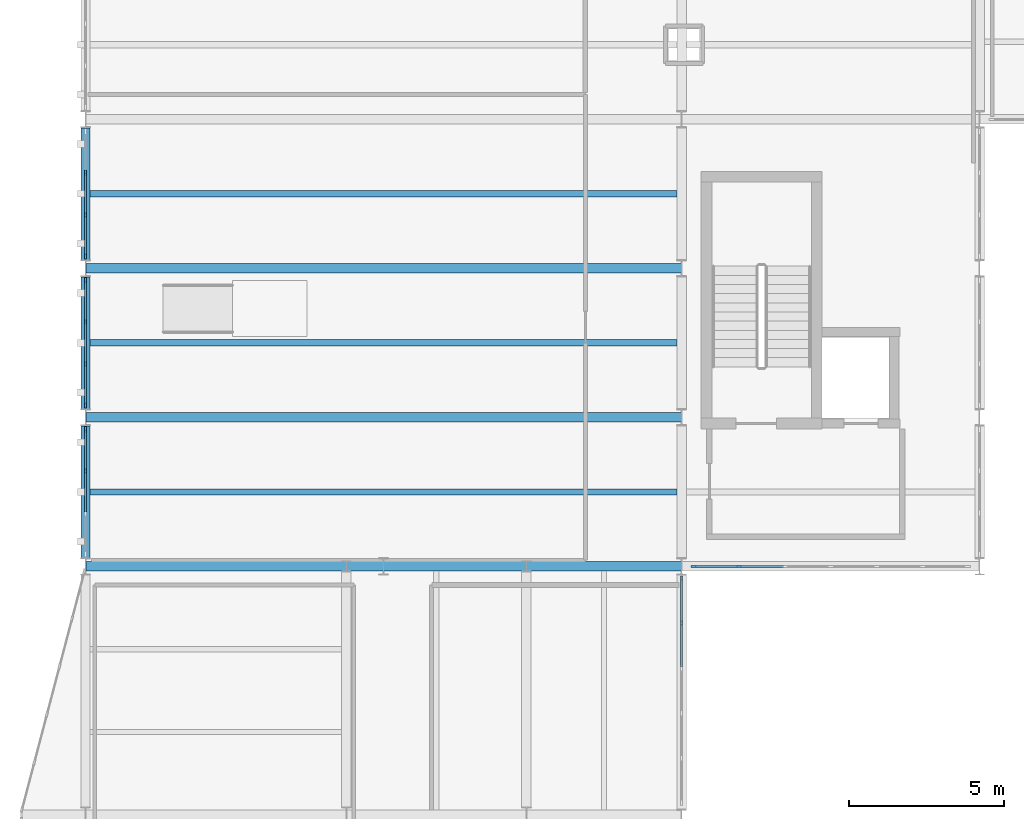
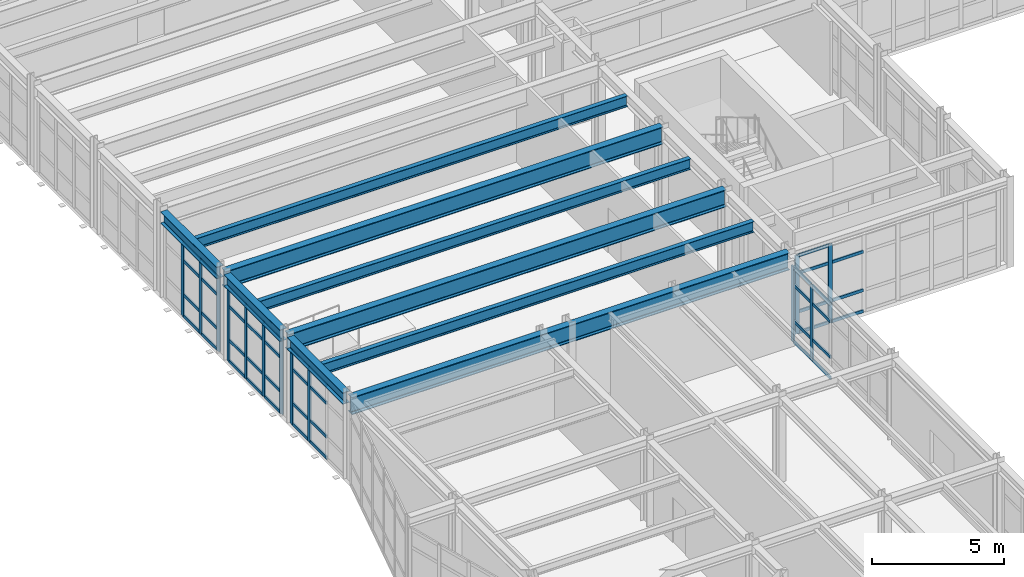
# One storey, part 26 of 76: 56 members, 9 beams, 5 elements without a shape of their own.
"""IFC4 building model written with IfcOpenShell, lengths in metres."""

from ifc_helpers import new_model, si_unit, direction, frame, origin, origin_2d, place, context, subcontext, project, spatial, rectangle, i_section, extrude, material, layer, layer_set, material_profile, profile_set, type_object, element, aggregate, save


model = new_model("IFC4")

# Units and contexts
model_context = context("Model", 3, precision=1e-05, world=origin(), true_north=direction((0.0, 1.0)))
body_context = subcontext(model_context, "Body", "Model", "MODEL_VIEW")
ifc_project = project(units=[si_unit("LENGTHUNIT", "METRE"), si_unit("AREAUNIT", "SQUARE_METRE"), si_unit("VOLUMEUNIT", "CUBIC_METRE"), si_unit("PLANEANGLEUNIT", "RADIAN"), si_unit("MASSUNIT", "GRAM", prefix="KILO")], contexts=[model_context])

# Site, building, storey
site_placement = place(None, origin())
site = spatial("IfcSite", under=ifc_project, at=site_placement, CompositionType="ELEMENT")
building_placement = place(site_placement, origin())
building = spatial("IfcBuilding", under=site, at=building_placement, Name="Nordkorset Police Headquarters", CompositionType="ELEMENT")
storey_placement = place(building_placement, frame((0.0, 0.0, 13.64990234375)))
storey = spatial("IfcBuildingStorey", under=building, at=storey_placement, Name="L03", CompositionType="ELEMENT", Elevation=13.64990234375)

# Beams
ifc_material_1 = material(Name="Steel S355J2", Category="steel")
ifc_material_profile_1 = material_profile(ifc_material_1, i_section(OverallWidth=0.199951171875, OverallDepth=0.5, WebThickness=0.01025390625, FlangeThickness=0.01611328125, FilletRadius=0.02099609375, at=origin_2d()), Name="IPE 500")
ifc_profile_set_1 = profile_set([ifc_material_profile_1], Name="Steel S355J2")
beam_type_1 = type_object("IfcBeamType", Name="Beam_IPE_500", PredefinedType="BEAM", material=ifc_profile_set_1)
for number, where, z_axis, x_axis, name in (
    (1, (0.14990234375, 85.60009765625, 3.72998046875), (1.0, 0.0, 0.0), (0.0, 1.0, 0.0), "Composite Floor Beam V1 L03 0-0-1"),
    (2, (0.14990234375, 90.39990234375, 3.72998046875), (1.0, 0.0, 0.0), (0.0, 1.0, 0.0), "Composite Floor Beam V1 L03 0-1-1"),
    (3, (0.14990234375, 95.199951171875, 3.72998046875), (1.0, 0.0, 0.0), (0.0, 1.0, 0.0), "Composite Floor Beam V1 L03 0-2-1"),
):
    element("IfcBeam", number, at=place(storey_placement, frame(where, z_axis=z_axis, x_axis=x_axis)), inside=storey, type_object=beam_type_1, Name=name, PredefinedType="BEAM", context=body_context, shape_type="SweptSolid", body=[
        extrude(i_section(OverallWidth=0.199951171875, OverallDepth=0.5, WebThickness=0.01025390625, FlangeThickness=0.01611328125, FilletRadius=0.02099609375, at=origin_2d()), origin(), (0.0, 0.0, 1.0), 18.900146484375),
    ])

# Curtain wall, members
ifc_material_2 = material(Name="Aluminium alloy AW-6060", Category="aluminium")
ifc_layer_1 = layer(ifc_material_2, 0.179931640625, Name="Aluminium alloy AW-6060")
ifc_layer_set_1 = layer_set([ifc_layer_1], Name="Aluminium alloy AW-6060")
curtain_wall_type_1 = type_object("IfcCurtainWallType", Name="CW_Unit_408x342", PredefinedType="USERDEFINED", material=ifc_layer_set_1)
curtain_wall_1_placement = place(storey_placement, origin())
curtain_wall_1 = element("IfcCurtainWall", 4, at=curtain_wall_1_placement, inside=storey, type_object=curtain_wall_type_1, Name="Unitised Curtain Wall L03 V1W-0", ObjectType="UNITISED CURTAIN WALL", PredefinedType="USERDEFINED")
ifc_material_3 = material(Name="Aluminium alloy AW-6060", Category="aluminium")
ifc_material_profile_2 = material_profile(ifc_material_3, rectangle(XDim=0.06494140625, YDim=0.179931640625, at=origin_2d()), Name="ALU MULL 65x180")
ifc_profile_set_2 = profile_set([ifc_material_profile_2], Name="Aluminium alloy AW-6060")
member_type_1 = type_object("IfcMemberType", Name="CW_Mullion_65x180", PredefinedType="MULLION", material=ifc_profile_set_2)
member_1_placement = place(storey_placement, frame((0.0, 86.280029296875, 0.0), z_axis=(0.0, 0.0, 1.0), x_axis=(-1.0, 0.0, 0.0)))
member_1 = element("IfcMember", 5, at=member_1_placement, type_object=member_type_1, Name="CW-72 mullion 3", PredefinedType="MULLION", context=body_context, shape_type="SweptSolid", body=[
    extrude(rectangle(XDim=0.06494140625, YDim=0.179931640625, at=origin_2d()), origin(), (0.0, 0.0, 1.0), 3.420166015625),
])
member_2_placement = place(storey_placement, frame((0.0, 87.607421875, 0.0), z_axis=(0.0, 0.0, 1.0), x_axis=(-1.0, 0.0, 0.0)))
member_2 = element("IfcMember", 6, at=member_2_placement, type_object=member_type_1, Name="CW-72 mullion 4", PredefinedType="MULLION", context=body_context, shape_type="SweptSolid", body=[
    extrude(rectangle(XDim=0.06494140625, YDim=0.179931640625, at=origin_2d()), origin(), (0.0, 0.0, 1.0), 3.420166015625),
])

curtain_wall_2_placement = place(storey_placement, origin())
curtain_wall_2 = element("IfcCurtainWall", 7, at=curtain_wall_2_placement, inside=storey, type_object=curtain_wall_type_1, Name="Unitised Curtain Wall L03 V1W-1", ObjectType="UNITISED CURTAIN WALL", PredefinedType="USERDEFINED")
member_3_placement = place(storey_placement, frame((0.0, 88.392578125, 0.0), z_axis=(0.0, 0.0, 1.0), x_axis=(-1.0, 0.0, 0.0)))
member_3 = element("IfcMember", 8, at=member_3_placement, type_object=member_type_1, Name="CW-72 mullion 1", PredefinedType="MULLION", context=body_context, shape_type="SweptSolid", body=[
    extrude(rectangle(XDim=0.06494140625, YDim=0.179931640625, at=origin_2d()), origin(), (0.0, 0.0, 1.0), 3.420166015625),
])
member_4_placement = place(storey_placement, frame((0.0, 89.719970703125, 0.0), z_axis=(0.0, 0.0, 1.0), x_axis=(-1.0, 0.0, 0.0)))
member_4 = element("IfcMember", 9, at=member_4_placement, type_object=member_type_1, Name="CW-72 mullion 2", PredefinedType="MULLION", context=body_context, shape_type="SweptSolid", body=[
    extrude(rectangle(XDim=0.06494140625, YDim=0.179931640625, at=origin_2d()), origin(), (0.0, 0.0, 1.0), 3.420166015625),
])
member_5_placement = place(storey_placement, frame((0.0, 91.080078125, 0.0), z_axis=(0.0, 0.0, 1.0), x_axis=(-1.0, 0.0, 0.0)))
member_5 = element("IfcMember", 10, at=member_5_placement, type_object=member_type_1, Name="CW-72 mullion 3", PredefinedType="MULLION", context=body_context, shape_type="SweptSolid", body=[
    extrude(rectangle(XDim=0.06494140625, YDim=0.179931640625, at=origin_2d()), origin(), (0.0, 0.0, 1.0), 3.420166015625),
])
member_6_placement = place(storey_placement, frame((0.0, 92.407470703125, 0.0), z_axis=(0.0, 0.0, 1.0), x_axis=(-1.0, 0.0, 0.0)))
member_6 = element("IfcMember", 11, at=member_6_placement, type_object=member_type_1, Name="CW-72 mullion 4", PredefinedType="MULLION", context=body_context, shape_type="SweptSolid", body=[
    extrude(rectangle(XDim=0.06494140625, YDim=0.179931640625, at=origin_2d()), origin(), (0.0, 0.0, 1.0), 3.420166015625),
])

curtain_wall_3_placement = place(storey_placement, origin())
curtain_wall_3 = element("IfcCurtainWall", 12, at=curtain_wall_3_placement, inside=storey, type_object=curtain_wall_type_1, Name="Unitised Curtain Wall L03 V1W-2", ObjectType="UNITISED CURTAIN WALL", PredefinedType="USERDEFINED")
member_7_placement = place(storey_placement, frame((0.0, 93.1923828125, 0.0), z_axis=(0.0, 0.0, 1.0), x_axis=(-1.0, 0.0, 0.0)))
member_7 = element("IfcMember", 13, at=member_7_placement, type_object=member_type_1, Name="CW-72 mullion 1", PredefinedType="MULLION", context=body_context, shape_type="SweptSolid", body=[
    extrude(rectangle(XDim=0.06494140625, YDim=0.179931640625, at=origin_2d()), origin(), (0.0, 0.0, 1.0), 3.420166015625),
])
member_8_placement = place(storey_placement, frame((0.0, 94.52001953125, 0.0), z_axis=(0.0, 0.0, 1.0), x_axis=(-1.0, 0.0, 0.0)))
member_8 = element("IfcMember", 14, at=member_8_placement, type_object=member_type_1, Name="CW-72 mullion 2", PredefinedType="MULLION", context=body_context, shape_type="SweptSolid", body=[
    extrude(rectangle(XDim=0.06494140625, YDim=0.179931640625, at=origin_2d()), origin(), (0.0, 0.0, 1.0), 3.420166015625),
])
member_9_placement = place(storey_placement, frame((0.0, 95.8798828125, 0.0), z_axis=(0.0, 0.0, 1.0), x_axis=(-1.0, 0.0, 0.0)))
member_9 = element("IfcMember", 15, at=member_9_placement, type_object=member_type_1, Name="CW-72 mullion 3", PredefinedType="MULLION", context=body_context, shape_type="SweptSolid", body=[
    extrude(rectangle(XDim=0.06494140625, YDim=0.179931640625, at=origin_2d()), origin(), (0.0, 0.0, 1.0), 3.420166015625),
])

ifc_material_4 = material(Name="Aluminium alloy AW-6060", Category="aluminium")
ifc_layer_2 = layer(ifc_material_4, 0.179931640625, Name="Aluminium alloy AW-6060")
ifc_layer_set_2 = layer_set([ifc_layer_2], Name="Aluminium alloy AW-6060")
curtain_wall_type_2 = type_object("IfcCurtainWallType", Name="CW_Unit_888x364", PredefinedType="USERDEFINED", material=ifc_layer_set_2)
curtain_wall_4_placement = place(storey_placement, origin())
curtain_wall_4 = element("IfcCurtainWall", 16, at=curtain_wall_4_placement, inside=storey, type_object=curtain_wall_type_2, Name="Unitised Curtain Wall L03 V1S-2", ObjectType="UNITISED CURTAIN WALL", PredefinedType="USERDEFINED")
member_10_placement = place(storey_placement, frame((19.592529296875, 83.199951171875, 0.0), z_axis=(0.0, 0.0, 1.0), x_axis=(0.0, 1.0, 0.0)))
member_10 = element("IfcMember", 17, at=member_10_placement, type_object=member_type_1, Name="CW-53 mullion 1", PredefinedType="MULLION", context=body_context, shape_type="SweptSolid", body=[
    extrude(rectangle(XDim=0.06494140625, YDim=0.179931640625, at=origin_2d()), origin(), (0.0, 0.0, 1.0), 3.635009765625),
])
member_11_placement = place(storey_placement, frame((21.0400390625, 83.199951171875, 0.0), z_axis=(0.0, 0.0, 1.0), x_axis=(0.0, 1.0, 0.0)))
member_11 = element("IfcMember", 18, at=member_11_placement, type_object=member_type_1, Name="CW-53 mullion 2", PredefinedType="MULLION", context=body_context, shape_type="SweptSolid", body=[
    extrude(rectangle(XDim=0.06494140625, YDim=0.179931640625, at=origin_2d()), origin(), (0.0, 0.0, 1.0), 3.635009765625),
])

ifc_material_5 = material(Name="Aluminium alloy AW-6060", Category="aluminium")
ifc_layer_3 = layer(ifc_material_5, 0.179931640625, Name="Aluminium alloy AW-6060")
ifc_layer_set_3 = layer_set([ifc_layer_3], Name="Aluminium alloy AW-6060")
curtain_wall_type_3 = type_object("IfcCurtainWallType", Name="CW_Unit_728x350", PredefinedType="USERDEFINED", material=ifc_layer_set_3)
curtain_wall_5_placement = place(storey_placement, origin())
curtain_wall_5 = element("IfcCurtainWall", 19, at=curtain_wall_5_placement, inside=storey, type_object=curtain_wall_type_3, Name="Unitised Curtain Wall L03 V3E-5", ObjectType="UNITISED CURTAIN WALL", PredefinedType="USERDEFINED")
member_12_placement = place(storey_placement, frame((19.199951171875, 81.384033203125, 0.0), z_axis=(0.0, 0.0, 1.0), x_axis=(-1.0, 0.0, 0.0)))
member_12 = element("IfcMember", 20, at=member_12_placement, type_object=member_type_1, Name="CW-70 mullion 5", PredefinedType="MULLION", context=body_context, shape_type="SweptSolid", body=[
    extrude(rectangle(XDim=0.06494140625, YDim=0.179931640625, at=origin_2d()), origin(), (0.0, 0.0, 1.0), 3.505126953125),
])
member_13_placement = place(storey_placement, frame((19.199951171875, 82.8076171875, 0.0), z_axis=(0.0, 0.0, 1.0), x_axis=(-1.0, 0.0, 0.0)))
member_13 = element("IfcMember", 21, at=member_13_placement, type_object=member_type_1, Name="CW-70 mullion 6", PredefinedType="MULLION", context=body_context, shape_type="SweptSolid", body=[
    extrude(rectangle(XDim=0.06494140625, YDim=0.179931640625, at=origin_2d()), origin(), (0.0, 0.0, 1.0), 3.505126953125),
])

# Member
ifc_material_6 = material(Name="Aluminium alloy AW-6060", Category="aluminium")
ifc_material_profile_3 = material_profile(ifc_material_6, rectangle(XDim=0.06494140625, YDim=0.139892578125, at=origin_2d()), Name="ALU TRAN 65x140")
ifc_profile_set_3 = profile_set([ifc_material_profile_3], Name="Aluminium alloy AW-6060")
member_type_2 = type_object("IfcMemberType", Name="CW_Transom_65x140", PredefinedType="USERDEFINED", material=ifc_profile_set_3)
member_14_placement = place(storey_placement, frame((0.0, 84.952392578125, 0.03271484375), z_axis=(0.0, 1.0, 0.0), x_axis=(-1.0, 0.0, 0.0)))
member_14 = element("IfcMember", 22, at=member_14_placement, type_object=member_type_2, Name="CW-72 transom 2.1", ObjectType="TRANSOM", PredefinedType="USERDEFINED", context=body_context, shape_type="SweptSolid", body=[
    extrude(rectangle(XDim=0.06494140625, YDim=0.139892578125, at=origin_2d()), origin(), (0.0, 0.0, 1.0), 1.295166015625),
])

member_15_placement = place(storey_placement, frame((0.0, 84.952392578125, 1.0), z_axis=(0.0, 1.0, 0.0), x_axis=(-1.0, 0.0, 0.0)))
member_15 = element("IfcMember", 23, at=member_15_placement, type_object=member_type_2, Name="CW-72 transom 2.2", ObjectType="TRANSOM", PredefinedType="USERDEFINED", context=body_context, shape_type="SweptSolid", body=[
    extrude(rectangle(XDim=0.06494140625, YDim=0.139892578125, at=origin_2d()), origin(), (0.0, 0.0, 1.0), 1.295166015625),
])

member_16_placement = place(storey_placement, frame((0.0, 84.952392578125, 2.570068359375), z_axis=(0.0, 1.0, 0.0), x_axis=(-1.0, 0.0, 0.0)))
member_16 = element("IfcMember", 24, at=member_16_placement, type_object=member_type_2, Name="CW-72 transom 2.3", ObjectType="TRANSOM", PredefinedType="USERDEFINED", context=body_context, shape_type="SweptSolid", body=[
    extrude(rectangle(XDim=0.06494140625, YDim=0.139892578125, at=origin_2d()), origin(), (0.0, 0.0, 1.0), 1.295166015625),
])

member_17_placement = place(storey_placement, frame((0.0, 84.952392578125, 3.3876953125), z_axis=(0.0, 1.0, 0.0), x_axis=(-1.0, 0.0, 0.0)))
member_17 = element("IfcMember", 25, at=member_17_placement, type_object=member_type_2, Name="CW-72 transom 2.4", ObjectType="TRANSOM", PredefinedType="USERDEFINED", context=body_context, shape_type="SweptSolid", body=[
    extrude(rectangle(XDim=0.06494140625, YDim=0.139892578125, at=origin_2d()), origin(), (0.0, 0.0, 1.0), 1.295166015625),
])

member_18_placement = place(storey_placement, frame((0.0, 86.3125, 0.03271484375), z_axis=(0.0, 1.0, 0.0), x_axis=(-1.0, 0.0, 0.0)))
member_18 = element("IfcMember", 26, at=member_18_placement, type_object=member_type_2, Name="CW-72 transom 3.1", ObjectType="TRANSOM", PredefinedType="USERDEFINED", context=body_context, shape_type="SweptSolid", body=[
    extrude(rectangle(XDim=0.06494140625, YDim=0.139892578125, at=origin_2d()), origin(), (0.0, 0.0, 1.0), 1.262451171875),
])

member_19_placement = place(storey_placement, frame((0.0, 86.3125, 1.0), z_axis=(0.0, 1.0, 0.0), x_axis=(-1.0, 0.0, 0.0)))
member_19 = element("IfcMember", 27, at=member_19_placement, type_object=member_type_2, Name="CW-72 transom 3.2", ObjectType="TRANSOM", PredefinedType="USERDEFINED", context=body_context, shape_type="SweptSolid", body=[
    extrude(rectangle(XDim=0.06494140625, YDim=0.139892578125, at=origin_2d()), origin(), (0.0, 0.0, 1.0), 1.262451171875),
])

member_20_placement = place(storey_placement, frame((0.0, 86.3125, 2.570068359375), z_axis=(0.0, 1.0, 0.0), x_axis=(-1.0, 0.0, 0.0)))
member_20 = element("IfcMember", 28, at=member_20_placement, type_object=member_type_2, Name="CW-72 transom 3.3", ObjectType="TRANSOM", PredefinedType="USERDEFINED", context=body_context, shape_type="SweptSolid", body=[
    extrude(rectangle(XDim=0.06494140625, YDim=0.139892578125, at=origin_2d()), origin(), (0.0, 0.0, 1.0), 1.262451171875),
])

member_21_placement = place(storey_placement, frame((0.0, 86.3125, 3.3876953125), z_axis=(0.0, 1.0, 0.0), x_axis=(-1.0, 0.0, 0.0)))
member_21 = element("IfcMember", 29, at=member_21_placement, type_object=member_type_2, Name="CW-72 transom 3.4", ObjectType="TRANSOM", PredefinedType="USERDEFINED", context=body_context, shape_type="SweptSolid", body=[
    extrude(rectangle(XDim=0.06494140625, YDim=0.139892578125, at=origin_2d()), origin(), (0.0, 0.0, 1.0), 1.262451171875),
])

aggregate(curtain_wall_1, [member_1, member_2, member_14, member_15, member_16, member_17, member_18, member_19, member_20, member_21])

member_22_placement = place(storey_placement, frame((0.0, 88.425048828125, 0.03271484375), z_axis=(0.0, 1.0, 0.0), x_axis=(-1.0, 0.0, 0.0)))
member_22 = element("IfcMember", 30, at=member_22_placement, type_object=member_type_2, Name="CW-72 transom 1.1", ObjectType="TRANSOM", PredefinedType="USERDEFINED", context=body_context, shape_type="SweptSolid", body=[
    extrude(rectangle(XDim=0.06494140625, YDim=0.139892578125, at=origin_2d()), origin(), (0.0, 0.0, 1.0), 1.262451171875),
])

member_23_placement = place(storey_placement, frame((0.0, 88.425048828125, 1.0), z_axis=(0.0, 1.0, 0.0), x_axis=(-1.0, 0.0, 0.0)))
member_23 = element("IfcMember", 31, at=member_23_placement, type_object=member_type_2, Name="CW-72 transom 1.2", ObjectType="TRANSOM", PredefinedType="USERDEFINED", context=body_context, shape_type="SweptSolid", body=[
    extrude(rectangle(XDim=0.06494140625, YDim=0.139892578125, at=origin_2d()), origin(), (0.0, 0.0, 1.0), 1.262451171875),
])

member_24_placement = place(storey_placement, frame((0.0, 88.425048828125, 2.570068359375), z_axis=(0.0, 1.0, 0.0), x_axis=(-1.0, 0.0, 0.0)))
member_24 = element("IfcMember", 32, at=member_24_placement, type_object=member_type_2, Name="CW-72 transom 1.3", ObjectType="TRANSOM", PredefinedType="USERDEFINED", context=body_context, shape_type="SweptSolid", body=[
    extrude(rectangle(XDim=0.06494140625, YDim=0.139892578125, at=origin_2d()), origin(), (0.0, 0.0, 1.0), 1.262451171875),
])

member_25_placement = place(storey_placement, frame((0.0, 88.425048828125, 3.3876953125), z_axis=(0.0, 1.0, 0.0), x_axis=(-1.0, 0.0, 0.0)))
member_25 = element("IfcMember", 33, at=member_25_placement, type_object=member_type_2, Name="CW-72 transom 1.4", ObjectType="TRANSOM", PredefinedType="USERDEFINED", context=body_context, shape_type="SweptSolid", body=[
    extrude(rectangle(XDim=0.06494140625, YDim=0.139892578125, at=origin_2d()), origin(), (0.0, 0.0, 1.0), 1.262451171875),
])

member_26_placement = place(storey_placement, frame((0.0, 89.75244140625, 0.03271484375), z_axis=(0.0, 1.0, 0.0), x_axis=(-1.0, 0.0, 0.0)))
member_26 = element("IfcMember", 34, at=member_26_placement, type_object=member_type_2, Name="CW-72 transom 2.1", ObjectType="TRANSOM", PredefinedType="USERDEFINED", context=body_context, shape_type="SweptSolid", body=[
    extrude(rectangle(XDim=0.06494140625, YDim=0.139892578125, at=origin_2d()), origin(), (0.0, 0.0, 1.0), 1.295166015625),
])

member_27_placement = place(storey_placement, frame((0.0, 89.75244140625, 1.0), z_axis=(0.0, 1.0, 0.0), x_axis=(-1.0, 0.0, 0.0)))
member_27 = element("IfcMember", 35, at=member_27_placement, type_object=member_type_2, Name="CW-72 transom 2.2", ObjectType="TRANSOM", PredefinedType="USERDEFINED", context=body_context, shape_type="SweptSolid", body=[
    extrude(rectangle(XDim=0.06494140625, YDim=0.139892578125, at=origin_2d()), origin(), (0.0, 0.0, 1.0), 1.295166015625),
])

member_28_placement = place(storey_placement, frame((0.0, 89.75244140625, 2.570068359375), z_axis=(0.0, 1.0, 0.0), x_axis=(-1.0, 0.0, 0.0)))
member_28 = element("IfcMember", 36, at=member_28_placement, type_object=member_type_2, Name="CW-72 transom 2.3", ObjectType="TRANSOM", PredefinedType="USERDEFINED", context=body_context, shape_type="SweptSolid", body=[
    extrude(rectangle(XDim=0.06494140625, YDim=0.139892578125, at=origin_2d()), origin(), (0.0, 0.0, 1.0), 1.295166015625),
])

member_29_placement = place(storey_placement, frame((0.0, 89.75244140625, 3.3876953125), z_axis=(0.0, 1.0, 0.0), x_axis=(-1.0, 0.0, 0.0)))
member_29 = element("IfcMember", 37, at=member_29_placement, type_object=member_type_2, Name="CW-72 transom 2.4", ObjectType="TRANSOM", PredefinedType="USERDEFINED", context=body_context, shape_type="SweptSolid", body=[
    extrude(rectangle(XDim=0.06494140625, YDim=0.139892578125, at=origin_2d()), origin(), (0.0, 0.0, 1.0), 1.295166015625),
])

member_30_placement = place(storey_placement, frame((0.0, 91.112548828125, 0.03271484375), z_axis=(0.0, 1.0, 0.0), x_axis=(-1.0, 0.0, 0.0)))
member_30 = element("IfcMember", 38, at=member_30_placement, type_object=member_type_2, Name="CW-72 transom 3.1", ObjectType="TRANSOM", PredefinedType="USERDEFINED", context=body_context, shape_type="SweptSolid", body=[
    extrude(rectangle(XDim=0.06494140625, YDim=0.139892578125, at=origin_2d()), origin(), (0.0, 0.0, 1.0), 1.262451171875),
])

member_31_placement = place(storey_placement, frame((0.0, 91.112548828125, 1.0), z_axis=(0.0, 1.0, 0.0), x_axis=(-1.0, 0.0, 0.0)))
member_31 = element("IfcMember", 39, at=member_31_placement, type_object=member_type_2, Name="CW-72 transom 3.2", ObjectType="TRANSOM", PredefinedType="USERDEFINED", context=body_context, shape_type="SweptSolid", body=[
    extrude(rectangle(XDim=0.06494140625, YDim=0.139892578125, at=origin_2d()), origin(), (0.0, 0.0, 1.0), 1.262451171875),
])

member_32_placement = place(storey_placement, frame((0.0, 91.112548828125, 2.570068359375), z_axis=(0.0, 1.0, 0.0), x_axis=(-1.0, 0.0, 0.0)))
member_32 = element("IfcMember", 40, at=member_32_placement, type_object=member_type_2, Name="CW-72 transom 3.3", ObjectType="TRANSOM", PredefinedType="USERDEFINED", context=body_context, shape_type="SweptSolid", body=[
    extrude(rectangle(XDim=0.06494140625, YDim=0.139892578125, at=origin_2d()), origin(), (0.0, 0.0, 1.0), 1.262451171875),
])

member_33_placement = place(storey_placement, frame((0.0, 91.112548828125, 3.3876953125), z_axis=(0.0, 1.0, 0.0), x_axis=(-1.0, 0.0, 0.0)))
member_33 = element("IfcMember", 41, at=member_33_placement, type_object=member_type_2, Name="CW-72 transom 3.4", ObjectType="TRANSOM", PredefinedType="USERDEFINED", context=body_context, shape_type="SweptSolid", body=[
    extrude(rectangle(XDim=0.06494140625, YDim=0.139892578125, at=origin_2d()), origin(), (0.0, 0.0, 1.0), 1.262451171875),
])

aggregate(curtain_wall_2, [member_3, member_4, member_5, member_6, member_22, member_23, member_24, member_25, member_26, member_27, member_28, member_29, member_30, member_31, member_32, member_33])

member_34_placement = place(storey_placement, frame((0.0, 93.22509765625, 0.03271484375), z_axis=(0.0, 1.0, 0.0), x_axis=(-1.0, 0.0, 0.0)))
member_34 = element("IfcMember", 42, at=member_34_placement, type_object=member_type_2, Name="CW-72 transom 1.1", ObjectType="TRANSOM", PredefinedType="USERDEFINED", context=body_context, shape_type="SweptSolid", body=[
    extrude(rectangle(XDim=0.06494140625, YDim=0.139892578125, at=origin_2d()), origin(), (0.0, 0.0, 1.0), 1.262451171875),
])

member_35_placement = place(storey_placement, frame((0.0, 93.22509765625, 1.0), z_axis=(0.0, 1.0, 0.0), x_axis=(-1.0, 0.0, 0.0)))
member_35 = element("IfcMember", 43, at=member_35_placement, type_object=member_type_2, Name="CW-72 transom 1.2", ObjectType="TRANSOM", PredefinedType="USERDEFINED", context=body_context, shape_type="SweptSolid", body=[
    extrude(rectangle(XDim=0.06494140625, YDim=0.139892578125, at=origin_2d()), origin(), (0.0, 0.0, 1.0), 1.262451171875),
])

member_36_placement = place(storey_placement, frame((0.0, 93.22509765625, 2.570068359375), z_axis=(0.0, 1.0, 0.0), x_axis=(-1.0, 0.0, 0.0)))
member_36 = element("IfcMember", 44, at=member_36_placement, type_object=member_type_2, Name="CW-72 transom 1.3", ObjectType="TRANSOM", PredefinedType="USERDEFINED", context=body_context, shape_type="SweptSolid", body=[
    extrude(rectangle(XDim=0.06494140625, YDim=0.139892578125, at=origin_2d()), origin(), (0.0, 0.0, 1.0), 1.262451171875),
])

member_37_placement = place(storey_placement, frame((0.0, 93.22509765625, 3.3876953125), z_axis=(0.0, 1.0, 0.0), x_axis=(-1.0, 0.0, 0.0)))
member_37 = element("IfcMember", 45, at=member_37_placement, type_object=member_type_2, Name="CW-72 transom 1.4", ObjectType="TRANSOM", PredefinedType="USERDEFINED", context=body_context, shape_type="SweptSolid", body=[
    extrude(rectangle(XDim=0.06494140625, YDim=0.139892578125, at=origin_2d()), origin(), (0.0, 0.0, 1.0), 1.262451171875),
])

member_38_placement = place(storey_placement, frame((0.0, 94.552490234375, 0.03271484375), z_axis=(0.0, 1.0, 0.0), x_axis=(-1.0, 0.0, 0.0)))
member_38 = element("IfcMember", 46, at=member_38_placement, type_object=member_type_2, Name="CW-72 transom 2.1", ObjectType="TRANSOM", PredefinedType="USERDEFINED", context=body_context, shape_type="SweptSolid", body=[
    extrude(rectangle(XDim=0.06494140625, YDim=0.139892578125, at=origin_2d()), origin(), (0.0, 0.0, 1.0), 1.294921875),
])

member_39_placement = place(storey_placement, frame((0.0, 94.552490234375, 1.0), z_axis=(0.0, 1.0, 0.0), x_axis=(-1.0, 0.0, 0.0)))
member_39 = element("IfcMember", 47, at=member_39_placement, type_object=member_type_2, Name="CW-72 transom 2.2", ObjectType="TRANSOM", PredefinedType="USERDEFINED", context=body_context, shape_type="SweptSolid", body=[
    extrude(rectangle(XDim=0.06494140625, YDim=0.139892578125, at=origin_2d()), origin(), (0.0, 0.0, 1.0), 1.294921875),
])

member_40_placement = place(storey_placement, frame((0.0, 94.552490234375, 2.570068359375), z_axis=(0.0, 1.0, 0.0), x_axis=(-1.0, 0.0, 0.0)))
member_40 = element("IfcMember", 48, at=member_40_placement, type_object=member_type_2, Name="CW-72 transom 2.3", ObjectType="TRANSOM", PredefinedType="USERDEFINED", context=body_context, shape_type="SweptSolid", body=[
    extrude(rectangle(XDim=0.06494140625, YDim=0.139892578125, at=origin_2d()), origin(), (0.0, 0.0, 1.0), 1.294921875),
])

member_41_placement = place(storey_placement, frame((0.0, 94.552490234375, 3.3876953125), z_axis=(0.0, 1.0, 0.0), x_axis=(-1.0, 0.0, 0.0)))
member_41 = element("IfcMember", 49, at=member_41_placement, type_object=member_type_2, Name="CW-72 transom 2.4", ObjectType="TRANSOM", PredefinedType="USERDEFINED", context=body_context, shape_type="SweptSolid", body=[
    extrude(rectangle(XDim=0.06494140625, YDim=0.139892578125, at=origin_2d()), origin(), (0.0, 0.0, 1.0), 1.294921875),
])

aggregate(curtain_wall_3, [member_7, member_8, member_9, member_34, member_35, member_36, member_37, member_38, member_39, member_40, member_41])

member_42_placement = place(storey_placement, frame((19.625, 83.199951171875, 0.03271484375), z_axis=(1.0, 0.0, 0.0), x_axis=(0.0, 1.0, 0.0)))
member_42 = element("IfcMember", 50, at=member_42_placement, type_object=member_type_2, Name="CW-53 transom 1.1", ObjectType="TRANSOM", PredefinedType="USERDEFINED", context=body_context, shape_type="SweptSolid", body=[
    extrude(rectangle(XDim=0.06494140625, YDim=0.139892578125, at=origin_2d()), origin(), (0.0, 0.0, 1.0), 1.382568359375),
])

member_43_placement = place(storey_placement, frame((19.625, 83.199951171875, 1.0), z_axis=(1.0, 0.0, 0.0), x_axis=(0.0, 1.0, 0.0)))
member_43 = element("IfcMember", 51, at=member_43_placement, type_object=member_type_2, Name="CW-53 transom 1.2", ObjectType="TRANSOM", PredefinedType="USERDEFINED", context=body_context, shape_type="SweptSolid", body=[
    extrude(rectangle(XDim=0.06494140625, YDim=0.139892578125, at=origin_2d()), origin(), (0.0, 0.0, 1.0), 1.382568359375),
])

member_44_placement = place(storey_placement, frame((19.625, 83.199951171875, 2.78515625), z_axis=(1.0, 0.0, 0.0), x_axis=(0.0, 1.0, 0.0)))
member_44 = element("IfcMember", 52, at=member_44_placement, type_object=member_type_2, Name="CW-53 transom 1.3", ObjectType="TRANSOM", PredefinedType="USERDEFINED", context=body_context, shape_type="SweptSolid", body=[
    extrude(rectangle(XDim=0.06494140625, YDim=0.139892578125, at=origin_2d()), origin(), (0.0, 0.0, 1.0), 1.382568359375),
])

member_45_placement = place(storey_placement, frame((19.625, 83.199951171875, 3.6025390625), z_axis=(1.0, 0.0, 0.0), x_axis=(0.0, 1.0, 0.0)))
member_45 = element("IfcMember", 53, at=member_45_placement, type_object=member_type_2, Name="CW-53 transom 1.4", ObjectType="TRANSOM", PredefinedType="USERDEFINED", context=body_context, shape_type="SweptSolid", body=[
    extrude(rectangle(XDim=0.06494140625, YDim=0.139892578125, at=origin_2d()), origin(), (0.0, 0.0, 1.0), 1.382568359375),
])

member_46_placement = place(storey_placement, frame((21.072509765625, 83.199951171875, 0.03271484375), z_axis=(1.0, 0.0, 0.0), x_axis=(0.0, 1.0, 0.0)))
member_46 = element("IfcMember", 54, at=member_46_placement, type_object=member_type_2, Name="CW-53 transom 2.1", ObjectType="TRANSOM", PredefinedType="USERDEFINED", context=body_context, shape_type="SweptSolid", body=[
    extrude(rectangle(XDim=0.06494140625, YDim=0.139892578125, at=origin_2d()), origin(), (0.0, 0.0, 1.0), 1.4150390625),
])

member_47_placement = place(storey_placement, frame((21.072509765625, 83.199951171875, 1.0), z_axis=(1.0, 0.0, 0.0), x_axis=(0.0, 1.0, 0.0)))
member_47 = element("IfcMember", 55, at=member_47_placement, type_object=member_type_2, Name="CW-53 transom 2.2", ObjectType="TRANSOM", PredefinedType="USERDEFINED", context=body_context, shape_type="SweptSolid", body=[
    extrude(rectangle(XDim=0.06494140625, YDim=0.139892578125, at=origin_2d()), origin(), (0.0, 0.0, 1.0), 1.4150390625),
])

member_48_placement = place(storey_placement, frame((21.072509765625, 83.199951171875, 2.78515625), z_axis=(1.0, 0.0, 0.0), x_axis=(0.0, 1.0, 0.0)))
member_48 = element("IfcMember", 56, at=member_48_placement, type_object=member_type_2, Name="CW-53 transom 2.3", ObjectType="TRANSOM", PredefinedType="USERDEFINED", context=body_context, shape_type="SweptSolid", body=[
    extrude(rectangle(XDim=0.06494140625, YDim=0.139892578125, at=origin_2d()), origin(), (0.0, 0.0, 1.0), 1.4150390625),
])

aggregate(curtain_wall_4, [member_10, member_11, member_42, member_43, member_44, member_45, member_46, member_47, member_48])

member_49_placement = place(storey_placement, frame((19.199951171875, 79.96044921875, 0.03271484375), z_axis=(0.0, 1.0, 0.0), x_axis=(-1.0, 0.0, 0.0)))
member_49 = element("IfcMember", 57, at=member_49_placement, type_object=member_type_2, Name="CW-70 transom 4.1", ObjectType="TRANSOM", PredefinedType="USERDEFINED", context=body_context, shape_type="SweptSolid", body=[
    extrude(rectangle(XDim=0.06494140625, YDim=0.139892578125, at=origin_2d()), origin(), (0.0, 0.0, 1.0), 1.39111328125),
])

member_50_placement = place(storey_placement, frame((19.199951171875, 79.96044921875, 1.0), z_axis=(0.0, 1.0, 0.0), x_axis=(-1.0, 0.0, 0.0)))
member_50 = element("IfcMember", 58, at=member_50_placement, type_object=member_type_2, Name="CW-70 transom 4.2", ObjectType="TRANSOM", PredefinedType="USERDEFINED", context=body_context, shape_type="SweptSolid", body=[
    extrude(rectangle(XDim=0.06494140625, YDim=0.139892578125, at=origin_2d()), origin(), (0.0, 0.0, 1.0), 1.39111328125),
])

member_51_placement = place(storey_placement, frame((19.199951171875, 79.96044921875, 2.655029296875), z_axis=(0.0, 1.0, 0.0), x_axis=(-1.0, 0.0, 0.0)))
member_51 = element("IfcMember", 59, at=member_51_placement, type_object=member_type_2, Name="CW-70 transom 4.3", ObjectType="TRANSOM", PredefinedType="USERDEFINED", context=body_context, shape_type="SweptSolid", body=[
    extrude(rectangle(XDim=0.06494140625, YDim=0.139892578125, at=origin_2d()), origin(), (0.0, 0.0, 1.0), 1.39111328125),
])

member_52_placement = place(storey_placement, frame((19.199951171875, 79.96044921875, 3.47265625), z_axis=(0.0, 1.0, 0.0), x_axis=(-1.0, 0.0, 0.0)))
member_52 = element("IfcMember", 60, at=member_52_placement, type_object=member_type_2, Name="CW-70 transom 4.4", ObjectType="TRANSOM", PredefinedType="USERDEFINED", context=body_context, shape_type="SweptSolid", body=[
    extrude(rectangle(XDim=0.06494140625, YDim=0.139892578125, at=origin_2d()), origin(), (0.0, 0.0, 1.0), 1.39111328125),
])

member_53_placement = place(storey_placement, frame((19.199951171875, 81.41650390625, 0.03271484375), z_axis=(0.0, 1.0, 0.0), x_axis=(-1.0, 0.0, 0.0)))
member_53 = element("IfcMember", 61, at=member_53_placement, type_object=member_type_2, Name="CW-70 transom 5.1", ObjectType="TRANSOM", PredefinedType="USERDEFINED", context=body_context, shape_type="SweptSolid", body=[
    extrude(rectangle(XDim=0.06494140625, YDim=0.139892578125, at=origin_2d()), origin(), (0.0, 0.0, 1.0), 1.3583984375),
])

member_54_placement = place(storey_placement, frame((19.199951171875, 81.41650390625, 1.0), z_axis=(0.0, 1.0, 0.0), x_axis=(-1.0, 0.0, 0.0)))
member_54 = element("IfcMember", 62, at=member_54_placement, type_object=member_type_2, Name="CW-70 transom 5.2", ObjectType="TRANSOM", PredefinedType="USERDEFINED", context=body_context, shape_type="SweptSolid", body=[
    extrude(rectangle(XDim=0.06494140625, YDim=0.139892578125, at=origin_2d()), origin(), (0.0, 0.0, 1.0), 1.3583984375),
])

member_55_placement = place(storey_placement, frame((19.199951171875, 81.41650390625, 2.655029296875), z_axis=(0.0, 1.0, 0.0), x_axis=(-1.0, 0.0, 0.0)))
member_55 = element("IfcMember", 63, at=member_55_placement, type_object=member_type_2, Name="CW-70 transom 5.3", ObjectType="TRANSOM", PredefinedType="USERDEFINED", context=body_context, shape_type="SweptSolid", body=[
    extrude(rectangle(XDim=0.06494140625, YDim=0.139892578125, at=origin_2d()), origin(), (0.0, 0.0, 1.0), 1.3583984375),
])

member_56_placement = place(storey_placement, frame((19.199951171875, 81.41650390625, 3.47265625), z_axis=(0.0, 1.0, 0.0), x_axis=(-1.0, 0.0, 0.0)))
member_56 = element("IfcMember", 64, at=member_56_placement, type_object=member_type_2, Name="CW-70 transom 5.4", ObjectType="TRANSOM", PredefinedType="USERDEFINED", context=body_context, shape_type="SweptSolid", body=[
    extrude(rectangle(XDim=0.06494140625, YDim=0.139892578125, at=origin_2d()), origin(), (0.0, 0.0, 1.0), 1.3583984375),
])

aggregate(curtain_wall_5, [member_12, member_13, member_49, member_50, member_51, member_52, member_53, member_54, member_55, member_56])

# Beams
ifc_material_7 = material(Name="Steel S355J2", Category="steel")
ifc_material_profile_4 = material_profile(ifc_material_7, i_section(OverallWidth=0.300048828125, OverallDepth=0.5400390625, WebThickness=0.012451171875, FlangeThickness=0.02392578125, FilletRadius=0.027099609375, at=origin_2d()), Name="HEA 550")
ifc_profile_set_4 = profile_set([ifc_material_profile_4], Name="Steel S355J2")
beam_type_2 = type_object("IfcBeamType", Name="Girder_HEA_550", PredefinedType="USERDEFINED", material=ifc_profile_set_4)
for number, where, z_axis, x_axis, name in (
    (65, (0.0, 83.47509765625, 3.710205078125), (0.0, 1.0, 0.0), (-1.0, 0.0, 0.0), "Girder V1 L03 GY-0-0"),
    (66, (0.0, 88.27490234375, 3.710205078125), (0.0, 1.0, 0.0), (-1.0, 0.0, 0.0), "Girder V1 L03 GY-0-1"),
    (67, (0.0, 93.074951171875, 3.710205078125), (0.0, 1.0, 0.0), (-1.0, 0.0, 0.0), "Girder V1 L03 GY-0-2"),
):
    element("IfcBeam", number, at=place(storey_placement, frame(where, z_axis=z_axis, x_axis=x_axis)), inside=storey, type_object=beam_type_2, Name=name, ObjectType="GIRDER", PredefinedType="USERDEFINED", context=body_context, shape_type="SweptSolid", body=[
        extrude(i_section(OverallWidth=0.300048828125, OverallDepth=0.5400390625, WebThickness=0.012451171875, FlangeThickness=0.02392578125, FilletRadius=0.027099609375, at=origin_2d()), origin(), (0.0, 0.0, 1.0), 4.25),
    ])
ifc_material_8 = material(Name="Steel S355J2", Category="steel")
ifc_material_profile_5 = material_profile(ifc_material_8, i_section(OverallWidth=0.300048828125, OverallDepth=0.800048828125, WebThickness=0.017578125, FlangeThickness=0.032958984375, FilletRadius=0.030029296875, at=origin_2d()), Name="HEB 800")
ifc_profile_set_5 = profile_set([ifc_material_profile_5], Name="Steel S355J2")
beam_type_3 = type_object("IfcBeamType", Name="Girder_HEB_800", PredefinedType="USERDEFINED", material=ifc_profile_set_5)
for number, where, z_axis, x_axis, name in (
    (68, (0.007568359375, 83.199951171875, 3.565185546875), (1.0, 0.0, 0.0), (0.0, 1.0, 0.0), "Girder V1 L03 GX-0-0"),
    (69, (0.007568359375, 88.0, 3.580078125), (1.0, 0.0, 0.0), (0.0, 1.0, 0.0), "Girder V1 L03 GX-1-0"),
    (70, (0.007568359375, 92.800048828125, 3.580078125), (1.0, 0.0, 0.0), (0.0, 1.0, 0.0), "Girder V1 L03 GX-2-0"),
):
    element("IfcBeam", number, at=place(storey_placement, frame(where, z_axis=z_axis, x_axis=x_axis)), inside=storey, type_object=beam_type_3, Name=name, ObjectType="GIRDER", PredefinedType="USERDEFINED", context=body_context, shape_type="SweptSolid", body=[
        extrude(i_section(OverallWidth=0.300048828125, OverallDepth=0.800048828125, WebThickness=0.017578125, FlangeThickness=0.032958984375, FilletRadius=0.030029296875, at=origin_2d()), origin(), (0.0, 0.0, 1.0), 19.184814453125),
    ])

save(model, "model.ifc")
